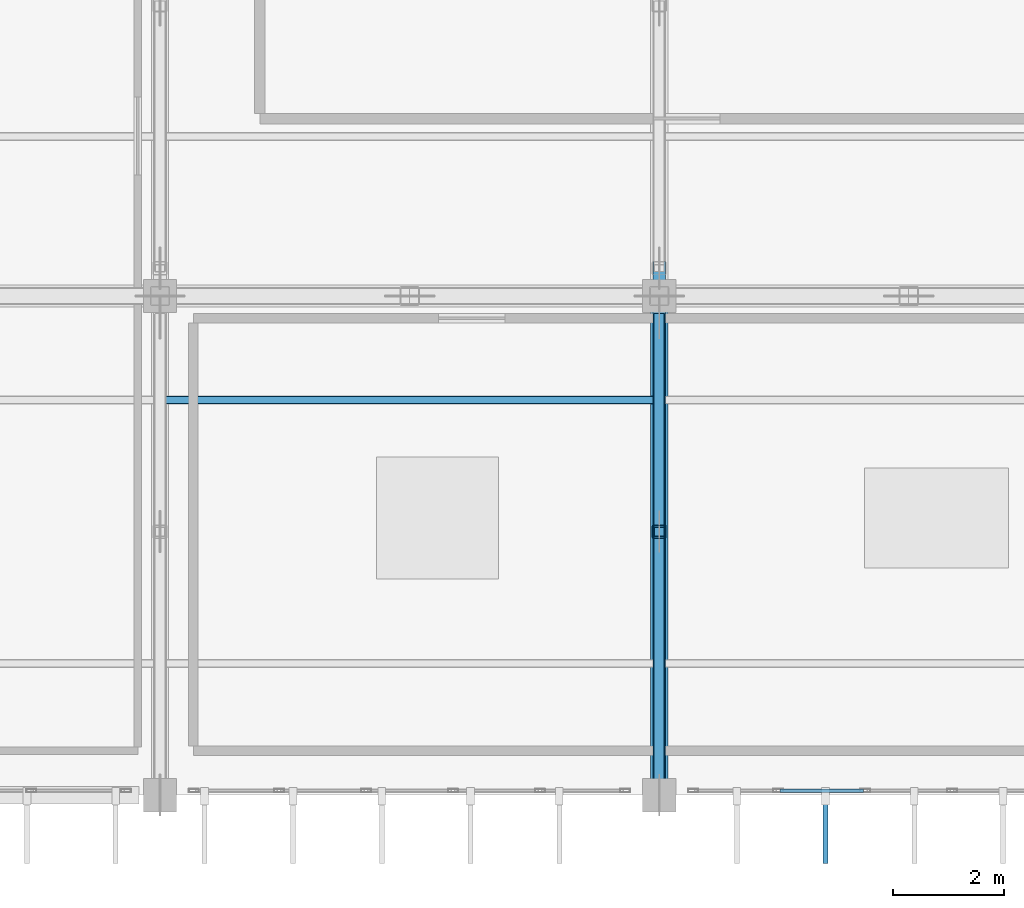
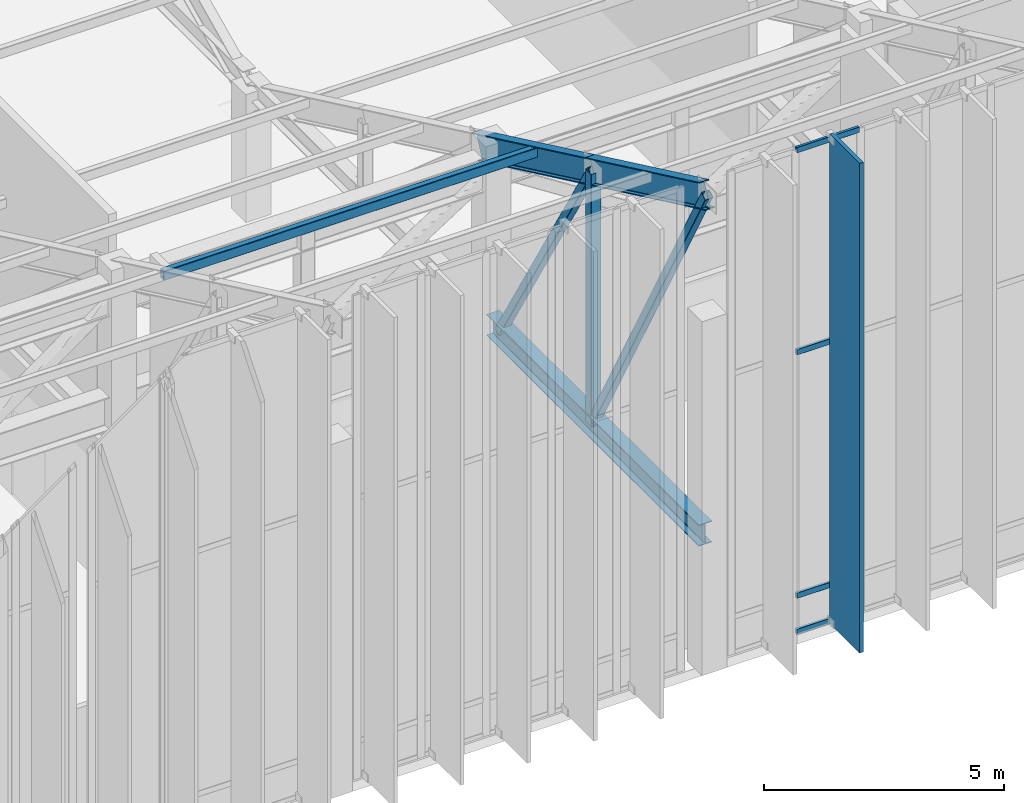
# One storey, part 13 of 68: 9 members, 3 beams, 1 element without a shape of its own.
"""IFC4 building model written with IfcOpenShell, lengths in metres."""

from ifc_helpers import new_model, si_unit, direction, frame, origin, origin_2d, place, context, subcontext, project, spatial, rectangle, hollow_rectangle, i_section, extrude, material, material_profile, profile_set, type_object, element, aggregate, save


model = new_model("IFC4")

# Units and contexts
model_context = context("Model", 3, precision=1e-05, world=origin(), true_north=direction((0.0, 1.0)))
body_context = subcontext(model_context, "Body", "Model", "MODEL_VIEW")
ifc_project = project(units=[si_unit("LENGTHUNIT", "METRE"), si_unit("AREAUNIT", "SQUARE_METRE"), si_unit("VOLUMEUNIT", "CUBIC_METRE"), si_unit("PLANEANGLEUNIT", "RADIAN"), si_unit("MASSUNIT", "GRAM", prefix="KILO")], contexts=[model_context])

# Site, building, storey
site_placement = place(None, origin())
site = spatial("IfcSite", under=ifc_project, at=site_placement, CompositionType="ELEMENT")
building_placement = place(site_placement, origin())
building = spatial("IfcBuilding", under=site, at=building_placement, Name="Miravela Opera House", CompositionType="ELEMENT")
storey_placement = place(building_placement, frame((0.0, 0.0, 21.760009765625)))
storey = spatial("IfcBuildingStorey", under=building, at=storey_placement, Name="L05", CompositionType="ELEMENT", Elevation=21.760009765625)

# Curtain wall, members
ifc_material_1 = material(Name="Anodised architectural bronze aluminium 6063-T6", Category="aluminium")
curtain_wall_type = type_object("IfcCurtainWallType", Name="ARC-CW-03", PredefinedType="NOTDEFINED", material=ifc_material_1)
curtain_wall_placement = place(storey_placement, origin())
curtain_wall = element("IfcCurtainWall", 1, at=curtain_wall_placement, inside=storey, type_object=curtain_wall_type, Name="Auditorium South Wrapper Glazing CW-L05-062", PredefinedType="NOTDEFINED")
ifc_material_profile_1 = material_profile(ifc_material_1, hollow_rectangle(XDim=0.06494140625, YDim=0.139892578125, WallThickness=0.00390625, InnerFilletRadius=0.001953125, OuterFilletRadius=0.00390625, at=origin_2d()), Name="CWT-65X140")
ifc_profile_set_1 = profile_set([ifc_material_profile_1])
member_type_1 = type_object("IfcMemberType", Name="ARC-CWT-140", PredefinedType="USERDEFINED", material=ifc_profile_set_1)
member_1_placement = place(storey_placement, frame((38.180419921875, 37.080078125, 0.032470703125), z_axis=(1.0, 0.0, 0.0), x_axis=(0.0, 1.0, 0.0)))
member_1 = element("IfcMember", 2, at=member_1_placement, type_object=member_type_1, Name="CW-03 transom 2.1", ObjectType="TRANSOM", PredefinedType="USERDEFINED", context=body_context, shape_type="SweptSolid", body=[
    extrude(hollow_rectangle(XDim=0.06494140625, YDim=0.139892578125, WallThickness=0.00390625, InnerFilletRadius=0.001953125, OuterFilletRadius=0.00390625, at=origin_2d()), origin(), (0.0, 0.0, 1.0), 1.503173828125),
])
member_2_placement = place(storey_placement, frame((38.180419921875, 37.080078125, 0.949951171875), z_axis=(1.0, 0.0, 0.0), x_axis=(0.0, 1.0, 0.0)))
member_2 = element("IfcMember", 3, at=member_2_placement, type_object=member_type_1, Name="CW-03 transom 2.2", ObjectType="TRANSOM", PredefinedType="USERDEFINED", context=body_context, shape_type="SweptSolid", body=[
    extrude(hollow_rectangle(XDim=0.06494140625, YDim=0.139892578125, WallThickness=0.00390625, InnerFilletRadius=0.001953125, OuterFilletRadius=0.00390625, at=origin_2d()), origin(), (0.0, 0.0, 1.0), 1.503173828125),
])
member_3_placement = place(storey_placement, frame((38.180419921875, 37.080078125, 7.139892578125), z_axis=(1.0, 0.0, 0.0), x_axis=(0.0, 1.0, 0.0)))
member_3 = element("IfcMember", 4, at=member_3_placement, type_object=member_type_1, Name="CW-03 transom 2.3", ObjectType="TRANSOM", PredefinedType="USERDEFINED", context=body_context, shape_type="SweptSolid", body=[
    extrude(hollow_rectangle(XDim=0.06494140625, YDim=0.139892578125, WallThickness=0.00390625, InnerFilletRadius=0.001953125, OuterFilletRadius=0.00390625, at=origin_2d()), origin(), (0.0, 0.0, 1.0), 1.503173828125),
])
member_4_placement = place(storey_placement, frame((38.180419921875, 37.080078125, 12.277587890625), z_axis=(1.0, 0.0, 0.0), x_axis=(0.0, 1.0, 0.0)))
member_4 = element("IfcMember", 5, at=member_4_placement, type_object=member_type_1, Name="CW-03 transom 2.4", ObjectType="TRANSOM", PredefinedType="USERDEFINED", context=body_context, shape_type="SweptSolid", body=[
    extrude(hollow_rectangle(XDim=0.06494140625, YDim=0.139892578125, WallThickness=0.00390625, InnerFilletRadius=0.001953125, OuterFilletRadius=0.00390625, at=origin_2d()), origin(), (0.0, 0.0, 1.0), 1.503173828125),
])
aggregate(curtain_wall, [member_1, member_2, member_3, member_4])

# Member
ifc_material_profile_2 = material_profile(ifc_material_1, rectangle(XDim=0.090087890625, YDim=1.25, at=origin_2d()), Name="FIN-1250X90")
ifc_profile_set_2 = profile_set([ifc_material_profile_2])
member_type_2 = type_object("IfcMemberType", Name="ARC-FIN-1250", PredefinedType="USERDEFINED", material=ifc_profile_set_2)
member_5_placement = place(storey_placement, frame((39.0, 36.39501953125, 0.0), z_axis=(0.0, 0.0, 1.0), x_axis=(1.0, 0.0, 0.0)))
element("IfcMember", 6, at=member_5_placement, inside=storey, type_object=member_type_2, Name="Auditorium Wrapper Bronze Solar Fin FIN-L05-SOUTH-0190", ObjectType="FIN", PredefinedType="USERDEFINED", context=body_context, shape_type="SweptSolid", body=[
    extrude(rectangle(XDim=0.090087890625, YDim=1.25, at=origin_2d()), origin(), (0.0, 0.0, 1.0), 12.449951171875),
])

# Beams
ifc_material_2 = material(Name="Structural steel ASTM A992 Gr. 50", Category="steel")
ifc_material_profile_3 = material_profile(ifc_material_2, i_section(OverallWidth=0.31201171875, OverallDepth=0.54296875, WebThickness=0.0126953125, FlangeThickness=0.020263671875, FilletRadius=0.01611328125, at=origin_2d()), Name="W530X150")
ifc_profile_set_3 = profile_set([ifc_material_profile_3])
beam_type_1 = type_object("IfcBeamType", Name="STR-BM-W530X150", PredefinedType="BEAM", material=ifc_profile_set_3)
beam_placement = place(storey_placement, frame((36.0, 37.080078125, 3.280029296875), z_axis=(0.0, 1.0, 0.0), x_axis=(-1.0, 0.0, 0.0)))
element("IfcBeam", 7, at=beam_placement, inside=storey, type_object=beam_type_1, Name="V-Crest Roof Truss Bottom Tie Chord X=36 Seg 1", PredefinedType="BEAM", context=body_context, shape_type="SweptSolid", body=[
    extrude(i_section(OverallWidth=0.31201171875, OverallDepth=0.54296875, WebThickness=0.0126953125, FlangeThickness=0.020263671875, FilletRadius=0.01611328125, at=origin_2d()), origin(), (0.0, 0.0, 1.0), 8.83984375),
])
ifc_material_profile_4 = material_profile(ifc_material_2, i_section(OverallWidth=0.22998046875, OverallDepth=0.616943359375, WebThickness=0.01318359375, FlangeThickness=0.022216796875, FilletRadius=0.01806640625, at=origin_2d()), Name="W610X140")
ifc_profile_set_4 = profile_set([ifc_material_profile_4])
beam_type_2 = type_object("IfcBeamType", Name="STR-BM-W610X140", PredefinedType="BEAM", material=ifc_profile_set_4)
for number, where, z_axis, x_axis, name in (
    (8, (36.0, 37.0, 11.939453125), (0.0, 0.903737838894, -0.428086344739), (-1.0, 0.0, 0.0), "V-Crest Roof Rafter Girder X=36 Seg 1"),
    (9, (36.0, 41.75, 9.689453125), (0.0, 0.903737838894, -0.428086344739), (-1.0, 0.0, 0.0), "V-Crest Roof Rafter Girder X=36 Seg 2"),
):
    element("IfcBeam", number, at=place(storey_placement, frame(where, z_axis=z_axis, x_axis=x_axis)), inside=storey, type_object=beam_type_2, Name=name, PredefinedType="BEAM", context=body_context, shape_type="SweptSolid", body=[
        extrude(i_section(OverallWidth=0.22998046875, OverallDepth=0.616943359375, WebThickness=0.01318359375, FlangeThickness=0.022216796875, FilletRadius=0.01806640625, at=origin_2d()), origin(), (0.0, 0.0, 1.0), 5.255859375),
    ])

# Members
ifc_material_3 = material(Name="Hollow structural steel ASTM A500 Gr. C", Category="steel")
ifc_material_profile_5 = material_profile(ifc_material_3, hollow_rectangle(XDim=0.25, YDim=0.25, WallThickness=0.011962890625, InnerFilletRadius=0.011962890625, OuterFilletRadius=0.02392578125, at=origin_2d()), Name="HSS250X250X12")
ifc_profile_set_5 = profile_set([ifc_material_profile_5])
member_type_3 = type_object("IfcMemberType", Name="STR-MEM-CANT-POST2", PredefinedType="POST", material=ifc_profile_set_5)
member_6_placement = place(storey_placement, frame((36.0, 41.75, 3.280029296875), z_axis=(0.0, 0.0, 1.0), x_axis=(1.0, 0.0, 0.0)))
element("IfcMember", 10, at=member_6_placement, inside=storey, type_object=member_type_3, Name="V-Crest Roof Truss Panel Post X=36 Node 1", PredefinedType="POST", context=body_context, shape_type="SweptSolid", body=[
    extrude(hollow_rectangle(XDim=0.25, YDim=0.25, WallThickness=0.011962890625, InnerFilletRadius=0.011962890625, OuterFilletRadius=0.02392578125, at=origin_2d()), origin(), (0.0, 0.0, 1.0), 6.409912109375),
])
ifc_material_profile_6 = material_profile(ifc_material_3, hollow_rectangle(XDim=0.14990234375, YDim=0.25, WallThickness=0.011962890625, InnerFilletRadius=0.011962890625, OuterFilletRadius=0.02392578125, at=origin_2d()), Name="HSS250X150X12")
ifc_profile_set_6 = profile_set([ifc_material_profile_6])
member_type_4 = type_object("IfcMemberType", Name="STR-MEM-PURLIN-1", PredefinedType="PURLIN", material=ifc_profile_set_6)
member_7_placement = place(storey_placement, frame((27.010009765625, 44.125, 8.744873046875), z_axis=(1.0, 0.0, 0.0), x_axis=(0.0, 1.0, 0.0)))
element("IfcMember", 11, at=member_7_placement, inside=storey, type_object=member_type_4, Name="V-Roof Steel Purlin B2.2", PredefinedType="PURLIN", context=body_context, shape_type="SweptSolid", body=[
    extrude(hollow_rectangle(XDim=0.14990234375, YDim=0.25, WallThickness=0.011962890625, InnerFilletRadius=0.011962890625, OuterFilletRadius=0.02392578125, at=origin_2d()), origin(), (0.0, 0.0, 1.0), 8.97998046875),
])
ifc_material_profile_7 = material_profile(ifc_material_3, hollow_rectangle(XDim=0.199951171875, YDim=0.199951171875, WallThickness=0.010009765625, InnerFilletRadius=0.010009765625, OuterFilletRadius=0.02001953125, at=origin_2d()), Name="HSS200X200X10")
ifc_profile_set_7 = profile_set([ifc_material_profile_7])
member_type_5 = type_object("IfcMemberType", Name="STR-MEM-WEDGE-WEB", PredefinedType="BRACE", material=ifc_profile_set_7)
member_8_placement = place(storey_placement, frame((36.0, 41.75, 3.280029296875), z_axis=(0.0, -0.480911686794, 0.876769040001), x_axis=(1.0, 0.0, 0.0)))
element("IfcMember", 12, at=member_8_placement, inside=storey, type_object=member_type_5, Name="V-Crest Roof Truss Web Diagonal X=36 Bay 1", PredefinedType="BRACE", context=body_context, shape_type="SweptSolid", body=[
    extrude(hollow_rectangle(XDim=0.199951171875, YDim=0.199951171875, WallThickness=0.010009765625, InnerFilletRadius=0.010009765625, OuterFilletRadius=0.02001953125, at=origin_2d()), origin(), (0.0, 0.0, 1.0), 9.876953125),
])
member_9_placement = place(storey_placement, frame((36.0, 45.60009765625, 3.280029296875), z_axis=(0.0, -0.514903832718, 0.857247947243), x_axis=(1.0, 0.0, 0.0)))
element("IfcMember", 13, at=member_9_placement, inside=storey, type_object=member_type_5, Name="V-Crest Roof Truss Web Diagonal X=36 Bay 2", PredefinedType="BRACE", context=body_context, shape_type="SweptSolid", body=[
    extrude(hollow_rectangle(XDim=0.199951171875, YDim=0.199951171875, WallThickness=0.010009765625, InnerFilletRadius=0.010009765625, OuterFilletRadius=0.02001953125, at=origin_2d()), origin(), (0.0, 0.0, 1.0), 7.477294921875),
])

save(model, "model.ifc")
